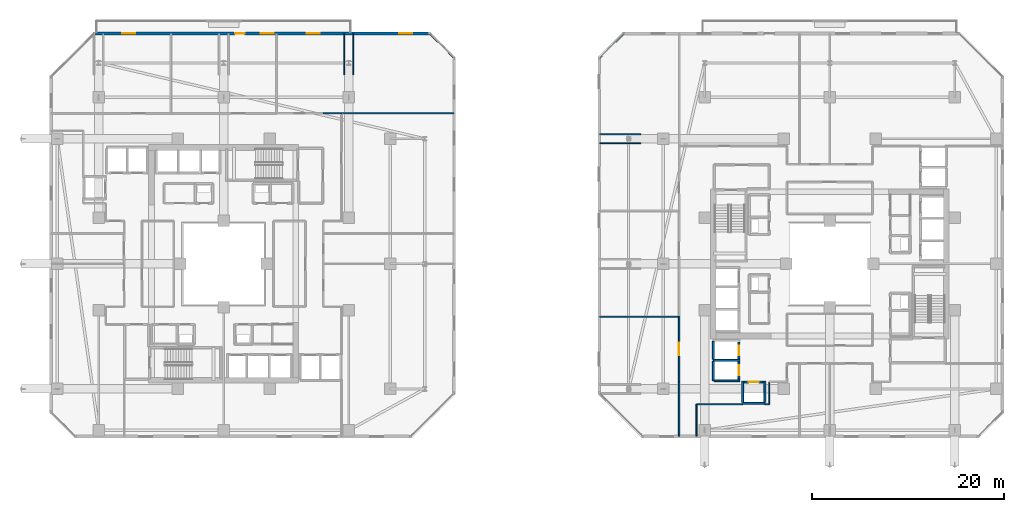
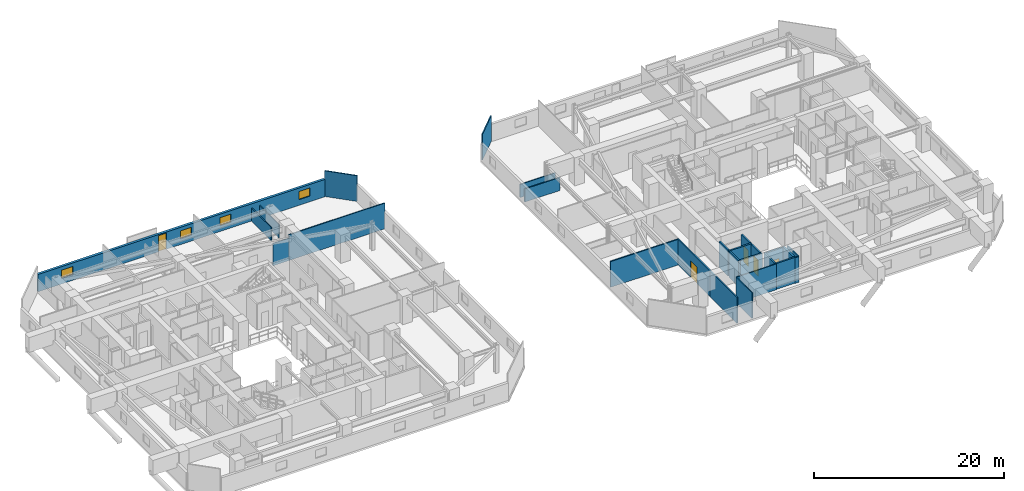
# One storey, part 25 of 36: 26 walls, 5 doors, 4 windows, 9 openings.
"""IFC4 building model written with IfcOpenShell, lengths in metres."""

from ifc_helpers import new_model, si_unit, direction, frame, frame_2d, origin, place, context, subcontext, project, spatial, rectangle, extrude, material, layer, layer_set, type_object, element, fill, save


model = new_model("IFC4")

# Units and contexts
model_context = context("Model", 3, precision=1e-05, world=origin(), true_north=direction((0.0, 1.0)))
body_context = subcontext(model_context, "Body", "Model", "MODEL_VIEW")
ifc_project = project(units=[si_unit("LENGTHUNIT", "METRE"), si_unit("AREAUNIT", "SQUARE_METRE"), si_unit("VOLUMEUNIT", "CUBIC_METRE"), si_unit("PLANEANGLEUNIT", "RADIAN"), si_unit("MASSUNIT", "GRAM", prefix="KILO")], contexts=[model_context])

# Site, building, storey
site_placement = place(None, origin())
site = spatial("IfcSite", under=ifc_project, at=site_placement, CompositionType="ELEMENT")
building_placement = place(site_placement, origin())
building = spatial("IfcBuilding", under=site, at=building_placement, Name="Thornwick Lancets Civic Towers", CompositionType="ELEMENT")
storey_placement = place(building_placement, frame((0.0, 0.0, 94.5)))
storey = spatial("IfcBuildingStorey", under=building, at=storey_placement, Name="L24", CompositionType="ELEMENT", Elevation=94.5)

# Wall, opening, door
ifc_material_1 = material(Name="Concrete blockwork C40/50", Category="masonry")
ifc_layer_1 = layer(ifc_material_1, 0.199951171875, Name="Concrete blockwork C40/50")
ifc_layer_set_1 = layer_set([ifc_layer_1], Name="Concrete blockwork C40/50")
wall_type_1 = type_object("IfcWallType", Name="WALL_COMP_200", PredefinedType="STANDARD", material=ifc_layer_set_1)
wall_1_placement = place(storey_placement, frame((79.050048828125, 17.1298828125, 0.0), z_axis=(0.0, 0.0, 1.0), x_axis=(0.0, 1.0, 0.0)))
wall_1 = element("IfcWall", 1, at=wall_1_placement, inside=storey, type_object=wall_type_1, Name="L24 Hoistway Front Wall PL-BM1", PredefinedType="STANDARD", context=body_context, shape_type="SweptSolid", body=[
    extrude(rectangle(XDim=1.740234375, YDim=0.199951171875, at=frame_2d((0.8701171875, 0.0))), origin(), (0.0, 0.0, 1.0), 3.300048828125),
])
opening_1_placement = place(wall_1_placement, frame((0.360107421875, 0.0, 0.0)))
opening_1 = element("IfcOpeningElement", 2, at=opening_1_placement, cuts=wall_1, Name="Opening LD-PL-BM1", PredefinedType="OPENING", context=body_context, shape_type="SweptSolid", body=[
    extrude(rectangle(XDim=1.02001953125, YDim=2.06005859375, at=frame_2d((0.510009765625, 1.030029296875))), frame((0.0, 0.10986328125, 0.0), z_axis=(0.0, -1.0, 0.0), x_axis=(1.0, 0.0, 0.0)), (0.0, 0.0, 1.0), 0.219970703125),
])
ifc_material_2 = material(Name="Brushed bronze stainless steel", Category="steel")
door_type_1 = type_object("IfcDoorType", Name="DOOR_LIFT_SLIDE", OperationType="SLIDING_TO_LEFT", PredefinedType="DOOR", material=ifc_material_2)
door_1_placement = place(opening_1_placement, origin())
door_1 = element("IfcDoor", 3, at=door_1_placement, inside=storey, type_object=door_type_1, Name="L24 Sliding Lift Landing Door LD-PL-BM1", OperationType="SLIDING_TO_LEFT", OverallHeight=2.06005859375, OverallWidth=1.02001953125, PredefinedType="DOOR", context=body_context, shape_type="SweptSolid", body=[
    extrude(rectangle(XDim=1.02001953125, YDim=2.06005859375, at=frame_2d((0.510009765625, 1.030029296875))), frame((0.0, 0.02490234375, 0.0), z_axis=(0.0, -1.0, 0.0), x_axis=(1.0, 0.0, 0.0)), (0.0, 0.0, 1.0), 0.050048828125),
])
fill(opening_1, door_1)

wall_2_placement = place(storey_placement, frame((79.050048828125, 15.030029296875, 0.0), z_axis=(0.0, 0.0, 1.0), x_axis=(0.0, 1.0, 0.0)))
wall_2 = element("IfcWall", 4, at=wall_2_placement, inside=storey, type_object=wall_type_1, Name="L24 Hoistway Front Wall PL-BM2", PredefinedType="STANDARD", context=body_context, shape_type="SweptSolid", body=[
    extrude(rectangle(XDim=1.7900390625, YDim=0.199951171875, at=frame_2d((0.89501953125, 0.0))), origin(), (0.0, 0.0, 1.0), 3.300048828125),
])
opening_2_placement = place(wall_2_placement, frame((0.385009765625, 0.0, 0.0)))
opening_2 = element("IfcOpeningElement", 5, at=opening_2_placement, cuts=wall_2, Name="Opening LD-PL-BM2", PredefinedType="OPENING", context=body_context, shape_type="SweptSolid", body=[
    extrude(rectangle(XDim=1.02001953125, YDim=2.06005859375, at=frame_2d((0.510009765625, 1.030029296875))), frame((0.0, 0.10986328125, 0.0), z_axis=(0.0, -1.0, 0.0), x_axis=(1.0, 0.0, 0.0)), (0.0, 0.0, 1.0), 0.219970703125),
])
door_2_placement = place(opening_2_placement, origin())
door_2 = element("IfcDoor", 6, at=door_2_placement, inside=storey, type_object=door_type_1, Name="L24 Sliding Lift Landing Door LD-PL-BM2", OperationType="SLIDING_TO_LEFT", OverallHeight=2.06005859375, OverallWidth=1.02001953125, PredefinedType="DOOR", context=body_context, shape_type="SweptSolid", body=[
    extrude(rectangle(XDim=1.02001953125, YDim=2.06005859375, at=frame_2d((0.510009765625, 1.030029296875))), frame((0.0, 0.02490234375, 0.0), z_axis=(0.0, -1.0, 0.0), x_axis=(1.0, 0.0, 0.0)), (0.0, 0.0, 1.0), 0.050048828125),
])
fill(opening_2, door_2)

wall_3_placement = place(storey_placement, frame((79.6298828125, 14.699951171875, 0.0), z_axis=(0.0, 0.0, 1.0), x_axis=(1.0, 0.0, 0.0)))
wall_3 = element("IfcWall", 7, at=wall_3_placement, inside=storey, type_object=wall_type_1, Name="L24 Hoistway Front Wall PL-BM3", PredefinedType="STANDARD", context=body_context, shape_type="SweptSolid", body=[
    extrude(rectangle(XDim=1.940185546875, YDim=0.199951171875, at=frame_2d((0.97021484375, 0.0))), origin(), (0.0, 0.0, 1.0), 3.300048828125),
])
opening_3_placement = place(wall_3_placement, frame((0.4599609375, 0.0, 0.0)))
opening_3 = element("IfcOpeningElement", 8, at=opening_3_placement, cuts=wall_3, Name="Opening LD-PL-BM3", PredefinedType="OPENING", context=body_context, shape_type="SweptSolid", body=[
    extrude(rectangle(XDim=1.02001953125, YDim=2.06005859375, at=frame_2d((0.510009765625, 1.030029296875))), frame((0.0, 0.10986328125, 0.0), z_axis=(0.0, -1.0, 0.0), x_axis=(1.0, 0.0, 0.0)), (0.0, 0.0, 1.0), 0.219970703125),
])
door_3_placement = place(opening_3_placement, origin())
door_3 = element("IfcDoor", 9, at=door_3_placement, inside=storey, type_object=door_type_1, Name="L24 Sliding Lift Landing Door LD-PL-BM3", OperationType="SLIDING_TO_LEFT", OverallHeight=2.06005859375, OverallWidth=1.02001953125, PredefinedType="DOOR", context=body_context, shape_type="SweptSolid", body=[
    extrude(rectangle(XDim=1.02001953125, YDim=2.06005859375, at=frame_2d((0.510009765625, 1.030029296875))), frame((0.0, 0.02490234375, 0.0), z_axis=(0.0, -1.0, 0.0), x_axis=(1.0, 0.0, 0.0)), (0.0, 0.0, 1.0), 0.050048828125),
])
fill(opening_3, door_3)

# Walls
wall_4_placement = place(storey_placement, frame((76.402099609375, 16.97509765625, 0.0), z_axis=(0.0, 0.0, 1.0), x_axis=(1.0, 0.0, 0.0)))
element("IfcWall", 10, at=wall_4_placement, inside=storey, type_object=wall_type_1, Name="L24 Hoistway Shaft Wall PL-BM1 S", PredefinedType="STANDARD", context=body_context, shape_type="SweptSolid", body=[
    extrude(rectangle(XDim=2.745849609375, YDim=0.199951171875, at=frame_2d((1.373046875, 0.0))), origin(), (0.0, 0.0, 1.0), 3.300048828125),
])
wall_5_placement = place(storey_placement, frame((76.39990234375, 14.85205078125, 0.0), z_axis=(0.0, 0.0, 1.0), x_axis=(0.0, 1.0, 0.0)))
element("IfcWall", 11, at=wall_5_placement, inside=storey, type_object=wall_type_1, Name="L24 Hoistway Shaft Wall PL-BM1 W", PredefinedType="STANDARD", context=body_context, shape_type="SweptSolid", body=[
    extrude(rectangle(XDim=2.015869140625, YDim=0.199951171875, at=frame_2d((1.0078125, 0.0))), origin(), (0.0, 0.0, 1.0), 3.300048828125),
])
wall_6_placement = place(storey_placement, frame((76.39990234375, 17.08203125, 0.0), z_axis=(0.0, 0.0, 1.0), x_axis=(0.0, 1.0, 0.0)))
element("IfcWall", 12, at=wall_6_placement, inside=storey, type_object=wall_type_1, Name="L24 Hoistway Shaft Wall PL-BM1 W", PredefinedType="STANDARD", context=body_context, shape_type="SweptSolid", body=[
    extrude(rectangle(XDim=1.85595703125, YDim=0.199951171875, at=frame_2d((0.927978515625, 0.0))), origin(), (0.0, 0.0, 1.0), 3.300048828125),
])
wall_7_placement = place(storey_placement, frame((76.511962890625, 14.85009765625, 0.0), z_axis=(0.0, 0.0, 1.0), x_axis=(1.0, 0.0, 0.0)))
element("IfcWall", 13, at=wall_7_placement, inside=storey, type_object=wall_type_1, Name="L24 Hoistway Shaft Wall PL-BM2 S", PredefinedType="STANDARD", context=body_context, shape_type="SweptSolid", body=[
    extrude(rectangle(XDim=2.635986328125, YDim=0.199951171875, at=frame_2d((1.31787109375, 0.0))), origin(), (0.0, 0.0, 1.0), 3.300048828125),
])
wall_8_placement = place(storey_placement, frame((79.451904296875, 12.5, 0.0), z_axis=(0.0, 0.0, 1.0), x_axis=(1.0, 0.0, 0.0)))
element("IfcWall", 14, at=wall_8_placement, inside=storey, type_object=wall_type_1, Name="L24 Hoistway Shaft Wall PL-BM3 S", PredefinedType="STANDARD", context=body_context, shape_type="SweptSolid", body=[
    extrude(rectangle(XDim=2.296142578125, YDim=0.199951171875, at=frame_2d((1.14794921875, 0.0))), origin(), (0.0, 0.0, 1.0), 3.300048828125),
])
for number, where, z_axis, x_axis, name in (
    (15, (81.75, 12.612060546875, 0.0), (0.0, 0.0, 1.0), (0.0, 1.0, 0.0), "L24 Hoistway Shaft Wall PL-BM3 E"),
    (16, (79.449951171875, 12.612060546875, 0.0), (0.0, 0.0, 1.0), (0.0, 1.0, 0.0), "L24 Hoistway Shaft Wall PL-BM3 W"),
):
    element("IfcWall", number, at=place(storey_placement, frame(where, z_axis=z_axis, x_axis=x_axis)), inside=storey, type_object=wall_type_1, Name=name, PredefinedType="STANDARD", context=body_context, shape_type="SweptSolid", body=[
        extrude(rectangle(XDim=2.18603515625, YDim=0.199951171875, at=frame_2d((1.093017578125, 0.0))), origin(), (0.0, 0.0, 1.0), 3.300048828125),
    ])

# Wall, openings, door, windows
ifc_material_3 = material(Name="Insulated russet terracotta rainscreen on concrete C40/50", Category="masonry")
ifc_layer_2 = layer(ifc_material_3, 0.300048828125, Name="Insulated russet terracotta rainscreen on concrete C40/50")
ifc_layer_set_2 = layer_set([ifc_layer_2], Name="Insulated russet terracotta rainscreen on concrete C40/50")
wall_type_2 = type_object("IfcWallType", Name="WALL_EXT_RUSSET_300", PredefinedType="STANDARD", material=ifc_layer_set_2)
wall_9_placement = place(storey_placement, frame((46.88134765625, 50.964599609375, 0.0), z_axis=(0.0, 0.0, 1.0), x_axis=(-0.999999983371, -0.000182370391, 0.0)))
wall_9 = element("IfcWall", 17, at=wall_9_placement, inside=storey, type_object=wall_type_2, Name="L24 Tower A Terracotta Facade Wall E4", PredefinedType="STANDARD", context=body_context, shape_type="SweptSolid", body=[
    extrude(rectangle(XDim=34.806396484375, YDim=0.300048828125, at=frame_2d((17.4033203125, 0.0))), origin(), (0.0, 0.0, 1.0), 2.219970703125),
])
opening_4_placement = place(wall_9_placement, frame((19.203125, 0.0, 0.0)))
opening_4 = element("IfcOpeningElement", 18, at=opening_4_placement, cuts=wall_9, Name="Opening D-BL-L24-AN", PredefinedType="OPENING", context=body_context, shape_type="SweptSolid", body=[
    extrude(rectangle(XDim=1.0, YDim=2.080078125, at=frame_2d((0.5, 1.0400390625))), frame((0.0, 0.16015625, 0.0), z_axis=(0.0, -1.0, 0.0), x_axis=(1.0, 0.0, 0.0)), (0.0, 0.0, 1.0), 0.320068359375),
])
opening_5_placement = place(wall_9_placement, frame((1.800048828125, 0.0, 0.719970703125)))
opening_5 = element("IfcOpeningElement", 19, at=opening_5_placement, cuts=wall_9, Name="Opening WL-03", PredefinedType="OPENING", context=body_context, shape_type="SweptSolid", body=[
    extrude(rectangle(XDim=1.35009765625, YDim=1.050048828125, at=frame_2d((0.675048828125, 0.52490234375))), frame((0.0, 0.16015625, 0.0), z_axis=(0.0, -1.0, 0.0), x_axis=(1.0, 0.0, 0.0)), (0.0, 0.0, 1.0), 0.320068359375),
])
opening_6_placement = place(wall_9_placement, frame((11.39990234375, 0.0, 0.719970703125)))
opening_6 = element("IfcOpeningElement", 20, at=opening_6_placement, cuts=wall_9, Name="Opening WL-03", PredefinedType="OPENING", context=body_context, shape_type="SweptSolid", body=[
    extrude(rectangle(XDim=1.35009765625, YDim=1.050048828125, at=frame_2d((0.675048828125, 0.52490234375))), frame((0.0, 0.16015625, 0.0), z_axis=(0.0, -1.0, 0.0), x_axis=(1.0, 0.0, 0.0)), (0.0, 0.0, 1.0), 0.320068359375),
])
opening_7_placement = place(wall_9_placement, frame((16.199951171875, 0.0, 0.719970703125)))
opening_7 = element("IfcOpeningElement", 21, at=opening_7_placement, cuts=wall_9, Name="Opening WL-03", PredefinedType="OPENING", context=body_context, shape_type="SweptSolid", body=[
    extrude(rectangle(XDim=1.35009765625, YDim=1.050048828125, at=frame_2d((0.675048828125, 0.52490234375))), frame((0.0, 0.16015625, 0.0), z_axis=(0.0, -1.0, 0.0), x_axis=(1.0, 0.0, 0.0)), (0.0, 0.0, 1.0), 0.320068359375),
])
opening_8_placement = place(wall_9_placement, frame((30.60009765625, 0.0, 0.719970703125)))
opening_8 = element("IfcOpeningElement", 22, at=opening_8_placement, cuts=wall_9, Name="Opening WL-03", PredefinedType="OPENING", context=body_context, shape_type="SweptSolid", body=[
    extrude(rectangle(XDim=1.35009765625, YDim=1.050048828125, at=frame_2d((0.675048828125, 0.52490234375))), frame((0.0, 0.16015625, 0.0), z_axis=(0.0, -1.0, 0.0), x_axis=(1.0, 0.0, 0.0)), (0.0, 0.0, 1.0), 0.320068359375),
])
ifc_material_4 = material(Name="Thermally broken glazed loggia doorset")
door_type_2 = type_object("IfcDoorType", Name="DOOR_BALC_1000", OperationType="NOTDEFINED", PredefinedType="DOOR", material=ifc_material_4)
door_4_placement = place(opening_4_placement, origin())
door_4 = element("IfcDoor", 23, at=door_4_placement, inside=storey, type_object=door_type_2, Name="L24 Tower A Loggia Balcony Door N", OperationType="SINGLE_SWING_LEFT", OverallHeight=2.080078125, OverallWidth=1.0, PredefinedType="DOOR", context=body_context, shape_type="SweptSolid", body=[
    extrude(rectangle(XDim=1.0, YDim=2.080078125, at=frame_2d((0.5, 1.0400390625))), frame((0.0, 0.02490234375, 0.0), z_axis=(0.0, -1.0, 0.0), x_axis=(1.0, 0.0, 0.0)), (0.0, 0.0, 1.0), 0.050048828125),
])
fill(opening_4, door_4)
ifc_material_5 = material(Name="Clear low-e double glazing clerestory lancet", Category="glass")
window_type = type_object("IfcWindowType", Name="WIN_LANCET_1350", PartitioningType="SINGLE_PANEL", PredefinedType="WINDOW", material=ifc_material_5)
window_1_placement = place(opening_5_placement, origin())
window_1 = element("IfcWindow", 24, at=window_1_placement, inside=storey, type_object=window_type, Name="L24 Tower A Staggered Lancet Window E4-1", OverallHeight=1.050048828125, OverallWidth=1.35009765625, PartitioningType="SINGLE_PANEL", PredefinedType="WINDOW", context=body_context, shape_type="SweptSolid", body=[
    extrude(rectangle(XDim=1.35009765625, YDim=1.050048828125, at=frame_2d((0.675048828125, 0.52490234375))), frame((0.0, 0.030029296875, 0.0), z_axis=(0.0, -1.0, 0.0), x_axis=(1.0, 0.0, 0.0)), (0.0, 0.0, 1.0), 0.06005859375),
])
fill(opening_5, window_1)
window_2_placement = place(opening_6_placement, origin())
window_2 = element("IfcWindow", 25, at=window_2_placement, inside=storey, type_object=window_type, Name="L24 Tower A Staggered Lancet Window E4-2", OverallHeight=1.050048828125, OverallWidth=1.35009765625, PartitioningType="SINGLE_PANEL", PredefinedType="WINDOW", context=body_context, shape_type="SweptSolid", body=[
    extrude(rectangle(XDim=1.35009765625, YDim=1.050048828125, at=frame_2d((0.675048828125, 0.52490234375))), frame((0.0, 0.030029296875, 0.0), z_axis=(0.0, -1.0, 0.0), x_axis=(1.0, 0.0, 0.0)), (0.0, 0.0, 1.0), 0.06005859375),
])
fill(opening_6, window_2)
window_3_placement = place(opening_7_placement, origin())
window_3 = element("IfcWindow", 26, at=window_3_placement, inside=storey, type_object=window_type, Name="L24 Tower A Staggered Lancet Window E4-3", OverallHeight=1.050048828125, OverallWidth=1.35009765625, PartitioningType="SINGLE_PANEL", PredefinedType="WINDOW", context=body_context, shape_type="SweptSolid", body=[
    extrude(rectangle(XDim=1.35009765625, YDim=1.050048828125, at=frame_2d((0.675048828125, 0.52490234375))), frame((0.0, 0.030029296875, 0.0), z_axis=(0.0, -1.0, 0.0), x_axis=(1.0, 0.0, 0.0)), (0.0, 0.0, 1.0), 0.06005859375),
])
fill(opening_7, window_3)
window_4_placement = place(opening_8_placement, origin())
window_4 = element("IfcWindow", 27, at=window_4_placement, inside=storey, type_object=window_type, Name="L24 Tower A Staggered Lancet Window E4-4", OverallHeight=1.050048828125, OverallWidth=1.35009765625, PartitioningType="SINGLE_PANEL", PredefinedType="WINDOW", context=body_context, shape_type="SweptSolid", body=[
    extrude(rectangle(XDim=1.35009765625, YDim=1.050048828125, at=frame_2d((0.675048828125, 0.52490234375))), frame((0.0, 0.030029296875, 0.0), z_axis=(0.0, -1.0, 0.0), x_axis=(1.0, 0.0, 0.0)), (0.0, 0.0, 1.0), 0.06005859375),
])
fill(opening_8, window_4)

# Walls
ifc_material_6 = material(Name="Acoustic gypsum board partition")
ifc_layer_3 = layer(ifc_material_6, 0.1201171875, Name="Acoustic gypsum board partition")
ifc_layer_set_3 = layer_set([ifc_layer_3], Name="Acoustic gypsum board partition")
wall_type_3 = type_object("IfcWallType", Name="WALL_PART_120", PredefinedType="PARTITIONING", material=ifc_layer_set_3)
wall_10_placement = place(storey_placement, frame((37.75, 42.64990234375, 0.0), z_axis=(0.0, 0.0, 1.0), x_axis=(1.0, 0.0, 0.0)))
element("IfcWall", 28, at=wall_10_placement, inside=storey, type_object=wall_type_3, Name="L24 Partition L24-A-E3 E4", PredefinedType="PARTITIONING", context=body_context, shape_type="SweptSolid", body=[
    extrude(rectangle(XDim=11.669921875, YDim=0.1201171875, at=frame_2d((5.8349609375, 0.0))), origin(), (0.0, 0.0, 1.0), 3.300048828125),
])
wall_11_placement = place(storey_placement, frame((37.75, 42.64990234375, 0.0), z_axis=(0.0, 0.0, 1.0), x_axis=(-1.0, 0.0, 0.0)))
element("IfcWall", 29, at=wall_11_placement, inside=storey, type_object=wall_type_3, Name="L24 Partition L24-A-N-OFF E1", PredefinedType="PARTITIONING", context=body_context, shape_type="SweptSolid", body=[
    extrude(rectangle(XDim=1.89990234375, YDim=0.1201171875, at=frame_2d((0.949951171875, 0.0))), origin(), (0.0, 0.0, 1.0), 2.85498046875),
])
for number, where, z_axis, x_axis, name in (
    (30, (38.02001953125, 50.919921875, 0.0), (0.0, 0.0, 1.0), (0.0, -1.0, 0.0), "L24 Partition L24-A-N-OFF E5"),
    (31, (38.97998046875, 46.65087890625, 0.0), (0.0, 0.0, 1.0), (0.0, 1.0, 0.0), "L24 Partition L24-A-N-OFF E7"),
):
    element("IfcWall", number, at=place(storey_placement, frame(where, z_axis=z_axis, x_axis=x_axis)), inside=storey, type_object=wall_type_3, Name=name, PredefinedType="PARTITIONING", context=body_context, shape_type="SweptSolid", body=[
        extrude(rectangle(XDim=4.26904296875, YDim=0.1201171875, at=frame_2d((2.134521484375, 0.0))), origin(), (0.0, 0.0, 1.0), 1.68505859375),
    ])
wall_12_placement = place(storey_placement, frame((46.92529296875, 50.919921875, 0.0), z_axis=(0.0, 0.0, 1.0), x_axis=(0.707106781187, -0.707106781187, 0.0)))
element("IfcWall", 32, at=wall_12_placement, inside=storey, type_object=wall_type_3, Name="L24 Partition L24-A-N-OFF E9", PredefinedType="PARTITIONING", context=body_context, shape_type="SweptSolid", body=[
    extrude(rectangle(XDim=3.52783203125, YDim=0.1201171875, at=frame_2d((1.763916015625, 0.0))), origin(), (0.0, 0.0, 1.0), 3.300048828125),
])
wall_13_placement = place(storey_placement, frame((82.199951171875, 12.39990234375, 0.0), z_axis=(0.0, 0.0, 1.0), x_axis=(0.0, 1.0, 0.0)))
element("IfcWall", 33, at=wall_13_placement, inside=storey, type_object=wall_type_3, Name="L24 Partition L24-B-W3 E1", PredefinedType="PARTITIONING", context=body_context, shape_type="SweptSolid", body=[
    extrude(rectangle(XDim=2.300048828125, YDim=0.1201171875, at=frame_2d((1.14990234375, 0.0))), origin(), (0.0, 0.0, 1.0), 3.300048828125),
])
wall_14_placement = place(storey_placement, frame((74.64990234375, 9.080078125, 0.0), z_axis=(0.0, 0.0, 1.0), x_axis=(0.0, 1.0, 0.0)))
element("IfcWall", 34, at=wall_14_placement, inside=storey, type_object=wall_type_3, Name="L24 Partition L24-B-W3 E8", PredefinedType="PARTITIONING", context=body_context, shape_type="SweptSolid", body=[
    extrude(rectangle(XDim=3.31982421875, YDim=0.1201171875, at=frame_2d((1.659912109375, 0.0))), origin(), (0.0, 0.0, 1.0), 3.300048828125),
])
wall_15_placement = place(storey_placement, frame((74.64990234375, 12.39990234375, 0.0), z_axis=(0.0, 0.0, 1.0), x_axis=(1.0, 0.0, 0.0)))
element("IfcWall", 35, at=wall_15_placement, inside=storey, type_object=wall_type_3, Name="L24 Partition L24-B-W3 E9", PredefinedType="PARTITIONING", context=body_context, shape_type="SweptSolid", body=[
    extrude(rectangle(XDim=4.802001953125, YDim=0.1201171875, at=frame_2d((2.40087890625, 0.0))), origin(), (0.0, 0.0, 1.0), 3.300048828125),
])
wall_16_placement = place(storey_placement, frame((81.748046875, 12.39990234375, 0.0), z_axis=(0.0, 0.0, 1.0), x_axis=(1.0, 0.0, 0.0)))
element("IfcWall", 36, at=wall_16_placement, inside=storey, type_object=wall_type_3, Name="L24 Partition L24-B-W3 E9", PredefinedType="PARTITIONING", context=body_context, shape_type="SweptSolid", body=[
    extrude(rectangle(XDim=0.451904296875, YDim=0.1201171875, at=frame_2d((0.22607421875, 0.0))), origin(), (0.0, 0.0, 1.0), 3.300048828125),
])
for number, where, z_axis, x_axis, name in (
    (37, (64.580078125, 39.52001953125, 0.0), (0.0, 0.0, 1.0), (1.0, 0.0, 0.0), "L24 Partition L24-B-N-OFF E2"),
    (38, (68.84912109375, 40.47998046875, 0.0), (0.0, 0.0, 1.0), (-1.0, 0.0, 0.0), "L24 Partition L24-B-N-OFF E4"),
):
    element("IfcWall", number, at=place(storey_placement, frame(where, z_axis=z_axis, x_axis=x_axis)), inside=storey, type_object=wall_type_3, Name=name, PredefinedType="PARTITIONING", context=body_context, shape_type="SweptSolid", body=[
        extrude(rectangle(XDim=4.26904296875, YDim=0.1201171875, at=frame_2d((2.134521484375, 0.0))), origin(), (0.0, 0.0, 1.0), 1.68505859375),
    ])
wall_17_placement = place(storey_placement, frame((64.580078125, 48.42529296875, 0.0), z_axis=(0.0, 0.0, 1.0), x_axis=(0.707106781187, 0.707106781187, 0.0)))
element("IfcWall", 39, at=wall_17_placement, inside=storey, type_object=wall_type_3, Name="L24 Partition L24-B-N-OFF E6", PredefinedType="PARTITIONING", context=body_context, shape_type="SweptSolid", body=[
    extrude(rectangle(XDim=3.52783203125, YDim=0.1201171875, at=frame_2d((1.763916015625, 0.0))), origin(), (0.0, 0.0, 1.0), 3.300048828125),
])
ifc_material_7 = material(Name="Twin-stud acoustic gypsum board")
ifc_layer_4 = layer(ifc_material_7, 0.14990234375, Name="Twin-stud acoustic gypsum board")
ifc_layer_set_4 = layer_set([ifc_layer_4], Name="Twin-stud acoustic gypsum board")
wall_type_4 = type_object("IfcWallType", Name="WALL_PART_150", PredefinedType="PARTITIONING", material=ifc_layer_set_4)
wall_18_placement = place(storey_placement, frame((72.85009765625, 14.75, 0.0), z_axis=(0.0, 0.0, 1.0), x_axis=(0.0, -1.0, 0.0)))
element("IfcWall", 40, at=wall_18_placement, inside=storey, type_object=wall_type_4, Name="L24 Partition L24-B-N-CONF E1", PredefinedType="PARTITIONING", context=body_context, shape_type="SweptSolid", body=[
    extrude(rectangle(XDim=5.669921875, YDim=0.14990234375, at=frame_2d((2.8349609375, 0.0))), origin(), (0.0, 0.0, 1.0), 3.300048828125),
])
wall_19_placement = place(storey_placement, frame((64.580078125, 21.5, 0.0), z_axis=(0.0, 0.0, 1.0), x_axis=(1.0, 0.0, 0.0)))
element("IfcWall", 41, at=wall_19_placement, inside=storey, type_object=wall_type_4, Name="L24 Partition L24-B-N-CONF E8", PredefinedType="PARTITIONING", context=body_context, shape_type="SweptSolid", body=[
    extrude(rectangle(XDim=8.27001953125, YDim=0.14990234375, at=frame_2d((4.135009765625, 0.0))), origin(), (0.0, 0.0, 1.0), 3.300048828125),
])

# Wall, opening, door
wall_20_placement = place(storey_placement, frame((72.85009765625, 21.5, 0.0), z_axis=(0.0, 0.0, 1.0), x_axis=(0.0, -1.0, 0.0)))
wall_20 = element("IfcWall", 42, at=wall_20_placement, inside=storey, type_object=wall_type_4, Name="L24 Partition L24-B-N-CONF E9", PredefinedType="PARTITIONING", context=body_context, shape_type="SweptSolid", body=[
    extrude(rectangle(XDim=6.75, YDim=0.14990234375, at=frame_2d((3.375, 0.0))), origin(), (0.0, 0.0, 1.0), 3.300048828125),
])
opening_9_placement = place(wall_20_placement, frame((2.72509765625, 0.0, 0.0)))
opening_9 = element("IfcOpeningElement", 43, at=opening_9_placement, cuts=wall_20, Name="Opening D-L24-1148", PredefinedType="OPENING", context=body_context, shape_type="SweptSolid", body=[
    extrude(rectangle(XDim=1.300048828125, YDim=2.1201171875, at=frame_2d((0.64990234375, 1.06005859375))), frame((0.0, 0.0849609375, 0.0), z_axis=(0.0, -1.0, 0.0), x_axis=(1.0, 0.0, 0.0)), (0.0, 0.0, 1.0), 0.169921875),
])
ifc_material_8 = material(Name="Acoustic oak leaf-and-a-half doorset")
door_type_3 = type_object("IfcDoorType", Name="DOOR_MEET_1300", OperationType="DOUBLE_DOOR_SINGLE_SWING", PredefinedType="DOOR", material=ifc_material_8)
door_5_placement = place(opening_9_placement, origin())
door_5 = element("IfcDoor", 44, at=door_5_placement, inside=storey, type_object=door_type_3, Name="L24 Tower B North-West Conference Room Door", OperationType="DOUBLE_DOOR_SINGLE_SWING", OverallHeight=2.1201171875, OverallWidth=1.300048828125, PredefinedType="DOOR", context=body_context, shape_type="SweptSolid", body=[
    extrude(rectangle(XDim=1.300048828125, YDim=2.1201171875, at=frame_2d((0.64990234375, 1.06005859375))), frame((0.0, 0.02490234375, 0.0), z_axis=(0.0, -1.0, 0.0), x_axis=(1.0, 0.0, 0.0)), (0.0, 0.0, 1.0), 0.050048828125),
])
fill(opening_9, door_5)

save(model, "model.ifc")
